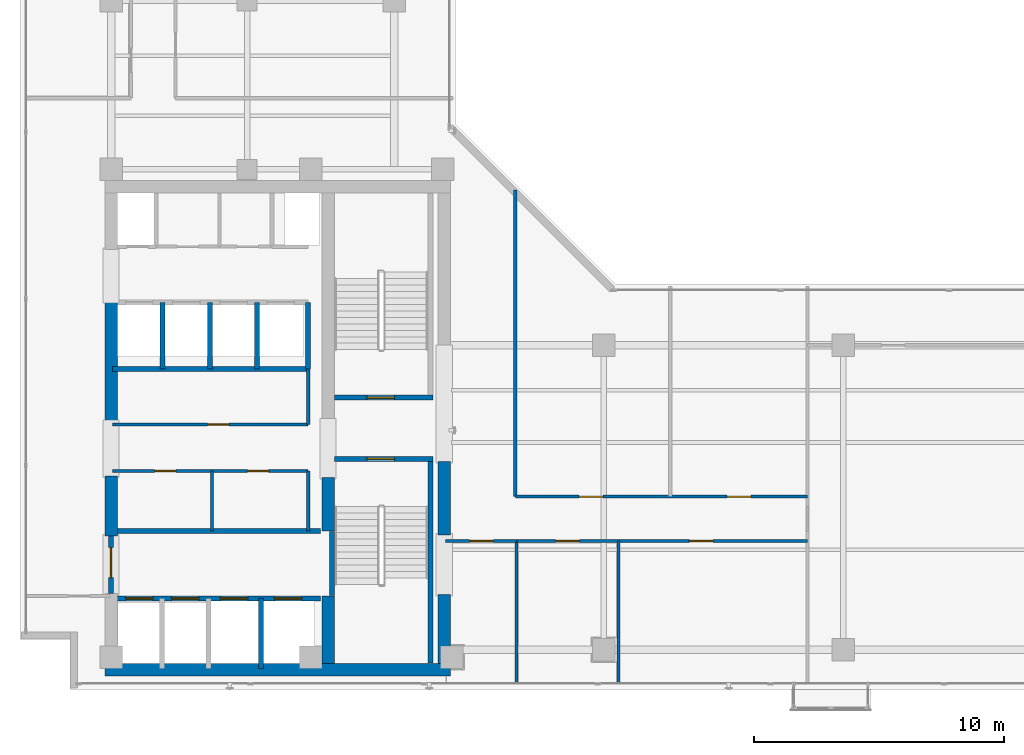
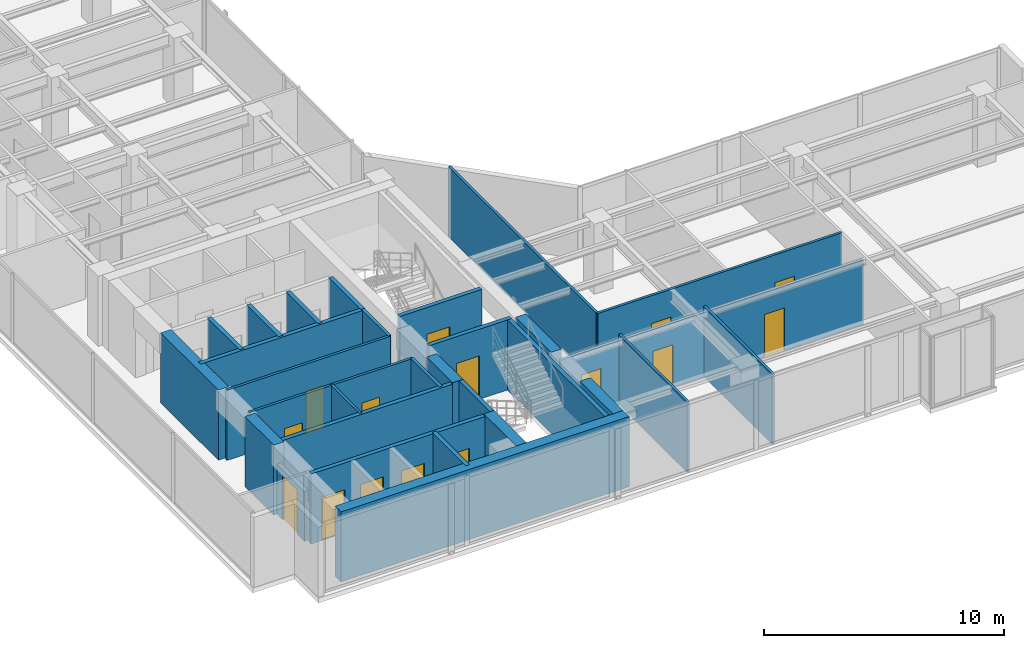
# One storey, part 17 of 24: 31 walls, 15 doors, 15 openings.
"""IFC4 building model written with IfcOpenShell, lengths in metres."""

from ifc_helpers import new_model, si_unit, direction, frame, frame_2d, origin, place, context, subcontext, project, spatial, rectangle, extrude, material, layer, layer_set, type_object, element, fill, save


model = new_model("IFC4")

# Units and contexts
model_context = context("Model", 3, precision=1e-05, world=origin(), true_north=direction((0.0, 1.0)))
body_context = subcontext(model_context, "Body", "Model", "MODEL_VIEW")
ifc_project = project(units=[si_unit("LENGTHUNIT", "METRE"), si_unit("AREAUNIT", "SQUARE_METRE"), si_unit("VOLUMEUNIT", "CUBIC_METRE"), si_unit("PLANEANGLEUNIT", "RADIAN"), si_unit("MASSUNIT", "GRAM", prefix="KILO")], contexts=[model_context])

# Site, building, storey
site_placement = place(None, origin())
site = spatial("IfcSite", under=ifc_project, at=site_placement, CompositionType="ELEMENT")
building_placement = place(site_placement, origin())
building = spatial("IfcBuilding", under=site, at=building_placement, Name="Kolvaren Waterfront Exchange", CompositionType="ELEMENT")
storey_placement = place(building_placement, frame((0.0, 0.0, 316.0)))
storey = spatial("IfcBuildingStorey", under=building, at=storey_placement, Name="L81", CompositionType="ELEMENT", Elevation=316.0)

# Wall, opening, door
ifc_material_1 = material(Name="Precast concrete C40/50", Category="concrete")
ifc_layer_1 = layer(ifc_material_1, 0.199951171875, Name="Precast concrete C40/50")
ifc_layer_set_1 = layer_set([ifc_layer_1], Name="Precast concrete C40/50")
wall_type_1 = type_object("IfcWallType", Name="ARC-FIRE-200", PredefinedType="PARTITIONING", material=ifc_layer_set_1)
wall_1_placement = place(storey_placement, frame((16.39990234375, 12.85009765625, 0.0), z_axis=(0.0, 0.0, 1.0), x_axis=(1.0, 0.0, 0.0)))
wall_1 = element("IfcWall", 1, at=wall_1_placement, inside=storey, type_object=wall_type_1, Name="L81 interior wall PW-L81-ST1-THROAT-S", PredefinedType="PARTITIONING", context=body_context, shape_type="SweptSolid", body=[
    extrude(rectangle(XDim=3.960205078125, YDim=0.199951171875, at=frame_2d((1.97998046875, 0.0))), origin(), (0.0, 0.0, 1.0), 3.56005859375),
])
opening_1_placement = place(wall_1_placement, frame((1.3037109375, 0.0, 0.0)))
opening_1 = element("IfcOpeningElement", 2, at=opening_1_placement, cuts=wall_1, Name="Opening FD2", PredefinedType="OPENING", context=body_context, shape_type="SweptSolid", body=[
    extrude(rectangle(XDim=1.10009765625, YDim=2.199951171875, at=frame_2d((0.550048828125, 1.10009765625))), frame((0.0, 0.10986328125, 0.0), z_axis=(0.0, -1.0, 0.0), x_axis=(1.0, 0.0, 0.0)), (0.0, 0.0, 1.0), 0.219970703125),
])
ifc_material_2 = material(Name="Pressed steel smoke-seal fire door", Category="steel")
door_type_1 = type_object("IfcDoorType", Name="ARC-FD-1100", OperationType="NOTDEFINED", PredefinedType="DOOR", material=ifc_material_2)
door_1_placement = place(opening_1_placement, frame((1.10009765625, 0.0, 0.0), z_axis=(0.0, 0.0, 1.0), x_axis=(-1.0, 0.0, 0.0)))
door_1 = element("IfcDoor", 3, at=door_1_placement, inside=storey, type_object=door_type_1, Name="L81 door DR-L81-ST1-IN (FD2)", OperationType="SINGLE_SWING_RIGHT", OverallHeight=2.199951171875, OverallWidth=1.10009765625, PredefinedType="DOOR", context=body_context, shape_type="SweptSolid", body=[
    extrude(rectangle(XDim=1.10009765625, YDim=2.199951171875, at=frame_2d((0.550048828125, 1.10009765625))), frame((0.0, 0.02490234375, 0.0), z_axis=(0.0, -1.0, 0.0), x_axis=(1.0, 0.0, 0.0)), (0.0, 0.0, 1.0), 0.050048828125),
])
fill(opening_1, door_1)

wall_2_placement = place(storey_placement, frame((16.409912109375, 15.300048828125, 0.0), z_axis=(0.0, 0.0, 1.0), x_axis=(1.0, 0.0, 0.0)))
wall_2 = element("IfcWall", 4, at=wall_2_placement, inside=storey, type_object=wall_type_1, Name="L81 interior wall PW-L81-ST2-THROAT-N", PredefinedType="PARTITIONING", context=body_context, shape_type="SweptSolid", body=[
    extrude(rectangle(XDim=3.9501953125, YDim=0.199951171875, at=frame_2d((1.97509765625, 0.0))), origin(), (0.0, 0.0, 1.0), 3.56005859375),
])
opening_2_placement = place(wall_2_placement, frame((1.293701171875, 0.0, 0.0)))
opening_2 = element("IfcOpeningElement", 5, at=opening_2_placement, cuts=wall_2, Name="Opening FD2", PredefinedType="OPENING", context=body_context, shape_type="SweptSolid", body=[
    extrude(rectangle(XDim=1.10009765625, YDim=2.199951171875, at=frame_2d((0.550048828125, 1.10009765625))), frame((0.0, 0.10986328125, 0.0), z_axis=(0.0, -1.0, 0.0), x_axis=(1.0, 0.0, 0.0)), (0.0, 0.0, 1.0), 0.219970703125),
])
door_2_placement = place(opening_2_placement, origin())
door_2 = element("IfcDoor", 6, at=door_2_placement, inside=storey, type_object=door_type_1, Name="L81 door DR-L81-ST2-IN (FD2)", OperationType="SINGLE_SWING_LEFT", OverallHeight=2.199951171875, OverallWidth=1.10009765625, PredefinedType="DOOR", context=body_context, shape_type="SweptSolid", body=[
    extrude(rectangle(XDim=1.10009765625, YDim=2.199951171875, at=frame_2d((0.550048828125, 1.10009765625))), frame((0.0, 0.02490234375, 0.0), z_axis=(0.0, -1.0, 0.0), x_axis=(1.0, 0.0, 0.0)), (0.0, 0.0, 1.0), 0.050048828125),
])
fill(opening_2, door_2)

# Wall
wall_3_placement = place(storey_placement, frame((7.5, 9.949951171875, 0.0), z_axis=(0.0, 0.0, 1.0), x_axis=(1.0, 0.0, 0.0)))
element("IfcWall", 7, at=wall_3_placement, inside=storey, type_object=wall_type_1, Name="L81 interior wall PW-L81-FF-N", PredefinedType="PARTITIONING", context=body_context, shape_type="SweptSolid", body=[
    extrude(rectangle(XDim=8.35009765625, YDim=0.199951171875, at=frame_2d((4.175048828125, 0.0))), origin(), (0.0, 0.0, 1.0), 3.56005859375),
])

# Wall, opening, door
wall_4_placement = place(storey_placement, frame((7.449951171875, 7.449951171875, 0.0), z_axis=(0.0, 0.0, 1.0), x_axis=(0.0, 1.0, 0.0)))
wall_4 = element("IfcWall", 8, at=wall_4_placement, inside=storey, type_object=wall_type_1, Name="L81 interior wall PW-L81-FF-W-DOOR", PredefinedType="PARTITIONING", context=body_context, shape_type="SweptSolid", body=[
    extrude(rectangle(XDim=2.300048828125, YDim=0.199951171875, at=frame_2d((1.14990234375, 0.0))), origin(), (0.0, 0.0, 1.0), 2.5400390625),
])
opening_3_placement = place(wall_4_placement, frame((0.63330078125, 0.0, 0.0)))
opening_3 = element("IfcOpeningElement", 9, at=opening_3_placement, cuts=wall_4, Name="Opening FD3", PredefinedType="OPENING", context=body_context, shape_type="SweptSolid", body=[
    extrude(rectangle(XDim=1.199951171875, YDim=2.25, at=frame_2d((0.60009765625, 1.125))), frame((0.0, 0.10986328125, 0.0), z_axis=(0.0, -1.0, 0.0), x_axis=(1.0, 0.0, 0.0)), (0.0, 0.0, 1.0), 0.219970703125),
])
ifc_material_3 = material(Name="Pressed steel fire door", Category="steel")
door_type_2 = type_object("IfcDoorType", Name="ARC-FD-1200", OperationType="NOTDEFINED", PredefinedType="DOOR", material=ifc_material_3)
door_3_placement = place(opening_3_placement, frame((1.199951171875, 0.0, 0.0), z_axis=(0.0, 0.0, 1.0), x_axis=(-1.0, 0.0, 0.0)))
door_3 = element("IfcDoor", 10, at=door_3_placement, inside=storey, type_object=door_type_2, Name="L81 door DR-L81-FF-OUT (FD3)", OperationType="SINGLE_SWING_RIGHT", OverallHeight=2.25, OverallWidth=1.199951171875, PredefinedType="DOOR", context=body_context, shape_type="SweptSolid", body=[
    extrude(rectangle(XDim=1.199951171875, YDim=2.25, at=frame_2d((0.60009765625, 1.125))), frame((0.0, 0.02490234375, 0.0), z_axis=(0.0, -1.0, 0.0), x_axis=(1.0, 0.0, 0.0)), (0.0, 0.0, 1.0), 0.050048828125),
])
fill(opening_3, door_3)

# Wall, openings, doors
ifc_material_4 = material(Name="Acoustic gypsum steel stud", Category="steel")
ifc_layer_2 = layer(ifc_material_4, 0.125, Name="Acoustic gypsum steel stud")
ifc_layer_set_2 = layer_set([ifc_layer_2], Name="Acoustic gypsum steel stud")
wall_type_2 = type_object("IfcWallType", Name="ARC-PART-125", PredefinedType="PARTITIONING", material=ifc_layer_set_2)
wall_5_placement = place(storey_placement, frame((7.5, 12.360107421875, 0.0), z_axis=(0.0, 0.0, 1.0), x_axis=(1.0, 0.0, 0.0)))
wall_5 = element("IfcWall", 11, at=wall_5_placement, inside=storey, type_object=wall_type_2, Name="L81 interior wall PW-L81-REC-HI-S", PredefinedType="PARTITIONING", context=body_context, shape_type="SweptSolid", body=[
    extrude(rectangle(XDim=7.85009765625, YDim=0.125, at=frame_2d((3.925048828125, 0.0))), origin(), (0.0, 0.0, 1.0), 3.56005859375),
])
opening_4_placement = place(wall_5_placement, frame((1.699951171875, 0.0, 0.0)))
opening_4 = element("IfcOpeningElement", 12, at=opening_4_placement, cuts=wall_5, Name="Opening D01", PredefinedType="OPENING", context=body_context, shape_type="SweptSolid", body=[
    extrude(rectangle(XDim=0.85009765625, YDim=2.14990234375, at=frame_2d((0.425048828125, 1.074951171875))), frame((0.0, 0.072509765625, 0.0), z_axis=(0.0, -1.0, 0.0), x_axis=(1.0, 0.0, 0.0)), (0.0, 0.0, 1.0), 0.14501953125),
])
opening_5_placement = place(wall_5_placement, frame((5.41259765625, 0.0, 0.0)))
opening_5 = element("IfcOpeningElement", 13, at=opening_5_placement, cuts=wall_5, Name="Opening D01", PredefinedType="OPENING", context=body_context, shape_type="SweptSolid", body=[
    extrude(rectangle(XDim=0.85009765625, YDim=2.14990234375, at=frame_2d((0.425048828125, 1.074951171875))), frame((0.0, 0.072509765625, 0.0), z_axis=(0.0, -1.0, 0.0), x_axis=(1.0, 0.0, 0.0)), (0.0, 0.0, 1.0), 0.14501953125),
])
ifc_material_5 = material(Name="Oak veneer timber leaf", Category="wood")
door_type_3 = type_object("IfcDoorType", Name="ARC-DR-900", OperationType="NOTDEFINED", PredefinedType="DOOR", material=ifc_material_5)
door_4_placement = place(opening_4_placement, origin())
door_4 = element("IfcDoor", 14, at=door_4_placement, inside=storey, type_object=door_type_3, Name="L81 door DR-L81-REC-HI-D1 (D01)", OperationType="SINGLE_SWING_LEFT", OverallHeight=2.14990234375, OverallWidth=0.85009765625, PredefinedType="DOOR", context=body_context, shape_type="SweptSolid", body=[
    extrude(rectangle(XDim=0.85009765625, YDim=2.14990234375, at=frame_2d((0.425048828125, 1.074951171875))), frame((0.0, 0.02490234375, 0.0), z_axis=(0.0, -1.0, 0.0), x_axis=(1.0, 0.0, 0.0)), (0.0, 0.0, 1.0), 0.050048828125),
])
fill(opening_4, door_4)
door_5_placement = place(opening_5_placement, origin())
door_5 = element("IfcDoor", 15, at=door_5_placement, inside=storey, type_object=door_type_3, Name="L81 door DR-L81-REC-HI-D2 (D01)", OperationType="SINGLE_SWING_RIGHT", OverallHeight=2.14990234375, OverallWidth=0.85009765625, PredefinedType="DOOR", context=body_context, shape_type="SweptSolid", body=[
    extrude(rectangle(XDim=0.85009765625, YDim=2.14990234375, at=frame_2d((0.425048828125, 1.074951171875))), frame((0.0, 0.02490234375, 0.0), z_axis=(0.0, -1.0, 0.0), x_axis=(1.0, 0.0, 0.0)), (0.0, 0.0, 1.0), 0.050048828125),
])
fill(opening_5, door_5)

# Wall, opening, door
wall_6_placement = place(storey_placement, frame((7.5, 14.219970703125, 0.0), z_axis=(0.0, 0.0, 1.0), x_axis=(1.0, 0.0, 0.0)))
wall_6 = element("IfcWall", 16, at=wall_6_placement, inside=storey, type_object=wall_type_2, Name="L81 interior wall PW-L81-REC-HI-N", PredefinedType="PARTITIONING", context=body_context, shape_type="SweptSolid", body=[
    extrude(rectangle(XDim=7.85009765625, YDim=0.125, at=frame_2d((3.925048828125, 0.0))), origin(), (0.0, 0.0, 1.0), 3.56005859375),
])
opening_6_placement = place(wall_6_placement, frame((3.824951171875, 0.0, 0.0)))
opening_6 = element("IfcOpeningElement", 17, at=opening_6_placement, cuts=wall_6, Name="Opening D01", PredefinedType="OPENING", context=body_context, shape_type="SweptSolid", body=[
    extrude(rectangle(XDim=0.85009765625, YDim=2.14990234375, at=frame_2d((0.425048828125, 1.074951171875))), frame((0.0, 0.072509765625, 0.0), z_axis=(0.0, -1.0, 0.0), x_axis=(1.0, 0.0, 0.0)), (0.0, 0.0, 1.0), 0.14501953125),
])
door_6_placement = place(opening_6_placement, origin())
door_6 = element("IfcDoor", 18, at=door_6_placement, inside=storey, type_object=door_type_3, Name="L81 door DR-L81-REC-HI-D3 (D01)", OperationType="SINGLE_SWING_LEFT", OverallHeight=2.14990234375, OverallWidth=0.85009765625, PredefinedType="DOOR", context=body_context, shape_type="SweptSolid", body=[
    extrude(rectangle(XDim=0.85009765625, YDim=2.14990234375, at=frame_2d((0.425048828125, 1.074951171875))), frame((0.0, 0.02490234375, 0.0), z_axis=(0.0, -1.0, 0.0), x_axis=(1.0, 0.0, 0.0)), (0.0, 0.0, 1.0), 0.050048828125),
])
fill(opening_6, door_6)

# Wall
wall_7_placement = place(storey_placement, frame((11.5, 9.949951171875, 0.0), z_axis=(0.0, 0.0, 1.0), x_axis=(0.0, 1.0, 0.0)))
element("IfcWall", 19, at=wall_7_placement, inside=storey, type_object=wall_type_2, Name="L81 interior wall PW-L81-REC-HI-MS1", PredefinedType="PARTITIONING", context=body_context, shape_type="SweptSolid", body=[
    extrude(rectangle(XDim=2.41015625, YDim=0.125, at=frame_2d((1.205078125, 0.0))), origin(), (0.0, 0.0, 1.0), 3.56005859375),
])

# Wall, opening, door
wall_8_placement = place(storey_placement, frame((20.85009765625, 9.550048828125, 0.0), z_axis=(0.0, 0.0, 1.0), x_axis=(1.0, 0.0, 0.0)))
wall_8 = element("IfcWall", 20, at=wall_8_placement, inside=storey, type_object=wall_type_2, Name="L81 interior wall PW-L81-SWST3-N", PredefinedType="PARTITIONING", context=body_context, shape_type="SweptSolid", body=[
    extrude(rectangle(XDim=2.849853515625, YDim=0.125, at=frame_2d((1.4248046875, 0.0))), origin(), (0.0, 0.0, 1.0), 3.260009765625),
])
opening_7_placement = place(wall_8_placement, frame((0.971435546875, 0.0, 0.0)))
opening_7 = element("IfcOpeningElement", 21, at=opening_7_placement, cuts=wall_8, Name="Opening D02", PredefinedType="OPENING", context=body_context, shape_type="SweptSolid", body=[
    extrude(rectangle(XDim=0.949951171875, YDim=2.14990234375, at=frame_2d((0.47509765625, 1.074951171875))), frame((0.0, 0.072509765625, 0.0), z_axis=(0.0, -1.0, 0.0), x_axis=(1.0, 0.0, 0.0)), (0.0, 0.0, 1.0), 0.14501953125),
])
ifc_material_6 = material(Name="Oak veneer acoustic timber", Category="wood")
door_type_4 = type_object("IfcDoorType", Name="ARC-DR-950", OperationType="NOTDEFINED", PredefinedType="DOOR", material=ifc_material_6)
door_7_placement = place(opening_7_placement, origin())
door_7 = element("IfcDoor", 22, at=door_7_placement, inside=storey, type_object=door_type_4, Name="L81 door DR-L81-SWST3-D (D02)", OperationType="SINGLE_SWING_RIGHT", OverallHeight=2.14990234375, OverallWidth=0.949951171875, PredefinedType="DOOR", context=body_context, shape_type="SweptSolid", body=[
    extrude(rectangle(XDim=0.949951171875, YDim=2.14990234375, at=frame_2d((0.47509765625, 1.074951171875))), frame((0.0, 0.02490234375, 0.0), z_axis=(0.0, -1.0, 0.0), x_axis=(1.0, 0.0, 0.0)), (0.0, 0.0, 1.0), 0.050048828125),
])
fill(opening_7, door_7)

# Wall
wall_9_placement = place(storey_placement, frame((23.699951171875, 3.840087890625, 0.0), z_axis=(0.0, 0.0, 1.0), x_axis=(0.0, 1.0, 0.0)))
element("IfcWall", 23, at=wall_9_placement, inside=storey, type_object=wall_type_2, Name="L81 interior wall PW-L81-ES-W0", PredefinedType="PARTITIONING", context=body_context, shape_type="SweptSolid", body=[
    extrude(rectangle(XDim=5.7099609375, YDim=0.125, at=frame_2d((2.85498046875, 0.0))), origin(), (0.0, 0.0, 1.0), 3.56005859375),
])

# Wall, openings, doors
wall_10_placement = place(storey_placement, frame((23.699951171875, 9.550048828125, 0.0), z_axis=(0.0, 0.0, 1.0), x_axis=(1.0, 0.0, 0.0)))
wall_10 = element("IfcWall", 24, at=wall_10_placement, inside=storey, type_object=wall_type_2, Name="L81 interior wall PW-L81-ES-CORR", PredefinedType="PARTITIONING", context=body_context, shape_type="SweptSolid", body=[
    extrude(rectangle(XDim=11.670166015625, YDim=0.125, at=frame_2d((5.8349609375, 0.0))), origin(), (0.0, 0.0, 1.0), 3.260009765625),
])
opening_8_placement = place(wall_10_placement, frame((1.56494140625, 0.0, 0.0)))
opening_8 = element("IfcOpeningElement", 25, at=opening_8_placement, cuts=wall_10, Name="Opening D02", PredefinedType="OPENING", context=body_context, shape_type="SweptSolid", body=[
    extrude(rectangle(XDim=0.949951171875, YDim=2.14990234375, at=frame_2d((0.47509765625, 1.074951171875))), frame((0.0, 0.072509765625, 0.0), z_axis=(0.0, -1.0, 0.0), x_axis=(1.0, 0.0, 0.0)), (0.0, 0.0, 1.0), 0.14501953125),
])
opening_9_placement = place(wall_10_placement, frame((6.925048828125, 0.0, 0.0)))
opening_9 = element("IfcOpeningElement", 26, at=opening_9_placement, cuts=wall_10, Name="Opening D02", PredefinedType="OPENING", context=body_context, shape_type="SweptSolid", body=[
    extrude(rectangle(XDim=0.949951171875, YDim=2.14990234375, at=frame_2d((0.47509765625, 1.074951171875))), frame((0.0, 0.072509765625, 0.0), z_axis=(0.0, -1.0, 0.0), x_axis=(1.0, 0.0, 0.0)), (0.0, 0.0, 1.0), 0.14501953125),
])
door_8_placement = place(opening_8_placement, origin())
door_8 = element("IfcDoor", 27, at=door_8_placement, inside=storey, type_object=door_type_4, Name="L81 door DR-L81-ES-D-1 (D02)", OperationType="SINGLE_SWING_LEFT", OverallHeight=2.14990234375, OverallWidth=0.949951171875, PredefinedType="DOOR", context=body_context, shape_type="SweptSolid", body=[
    extrude(rectangle(XDim=0.949951171875, YDim=2.14990234375, at=frame_2d((0.47509765625, 1.074951171875))), frame((0.0, 0.02490234375, 0.0), z_axis=(0.0, -1.0, 0.0), x_axis=(1.0, 0.0, 0.0)), (0.0, 0.0, 1.0), 0.050048828125),
])
fill(opening_8, door_8)
door_9_placement = place(opening_9_placement, origin())
door_9 = element("IfcDoor", 28, at=door_9_placement, inside=storey, type_object=door_type_4, Name="L81 door DR-L81-ES-D-2 (D02)", OperationType="SINGLE_SWING_RIGHT", OverallHeight=2.14990234375, OverallWidth=0.949951171875, PredefinedType="DOOR", context=body_context, shape_type="SweptSolid", body=[
    extrude(rectangle(XDim=0.949951171875, YDim=2.14990234375, at=frame_2d((0.47509765625, 1.074951171875))), frame((0.0, 0.02490234375, 0.0), z_axis=(0.0, -1.0, 0.0), x_axis=(1.0, 0.0, 0.0)), (0.0, 0.0, 1.0), 0.050048828125),
])
fill(opening_9, door_9)

# Walls
wall_11_placement = place(storey_placement, frame((27.780029296875, 3.840087890625, 0.0), z_axis=(0.0, 0.0, 1.0), x_axis=(0.0, 1.0, 0.0)))
element("IfcWall", 29, at=wall_11_placement, inside=storey, type_object=wall_type_2, Name="L81 interior wall PW-L81-ES-DIV-1", PredefinedType="PARTITIONING", context=body_context, shape_type="SweptSolid", body=[
    extrude(rectangle(XDim=5.7099609375, YDim=0.125, at=frame_2d((2.85498046875, 0.0))), origin(), (0.0, 0.0, 1.0), 3.56005859375),
])
wall_12_placement = place(storey_placement, frame((23.64990234375, 11.330078125, 0.0), z_axis=(0.0, 0.0, 1.0), x_axis=(0.0, 1.0, 0.0)))
element("IfcWall", 30, at=wall_12_placement, inside=storey, type_object=wall_type_2, Name="L81 interior wall PW-L81-EN-W0", PredefinedType="PARTITIONING", context=body_context, shape_type="SweptSolid", body=[
    extrude(rectangle(XDim=12.28515625, YDim=0.125, at=frame_2d((6.142578125, 0.0))), origin(), (0.0, 0.0, 1.0), 3.56005859375),
])

# Wall, openings, doors
wall_13_placement = place(storey_placement, frame((23.64990234375, 11.330078125, 0.0), z_axis=(0.0, 0.0, 1.0), x_axis=(1.0, 0.0, 0.0)))
wall_13 = element("IfcWall", 31, at=wall_13_placement, inside=storey, type_object=wall_type_2, Name="L81 interior wall PW-L81-EN-CORR", PredefinedType="PARTITIONING", context=body_context, shape_type="SweptSolid", body=[
    extrude(rectangle(XDim=11.72021484375, YDim=0.125, at=frame_2d((5.860107421875, 0.0))), origin(), (0.0, 0.0, 1.0), 3.56005859375),
])
opening_10_placement = place(wall_13_placement, frame((2.55810546875, 0.0, 0.0)))
opening_10 = element("IfcOpeningElement", 32, at=opening_10_placement, cuts=wall_13, Name="Opening D02", PredefinedType="OPENING", context=body_context, shape_type="SweptSolid", body=[
    extrude(rectangle(XDim=0.949951171875, YDim=2.14990234375, at=frame_2d((0.47509765625, 1.074951171875))), frame((0.0, 0.072509765625, 0.0), z_axis=(0.0, -1.0, 0.0), x_axis=(1.0, 0.0, 0.0)), (0.0, 0.0, 1.0), 0.14501953125),
])
opening_11_placement = place(wall_13_placement, frame((8.489990234375, 0.0, 0.0)))
opening_11 = element("IfcOpeningElement", 33, at=opening_11_placement, cuts=wall_13, Name="Opening D02", PredefinedType="OPENING", context=body_context, shape_type="SweptSolid", body=[
    extrude(rectangle(XDim=0.949951171875, YDim=2.14990234375, at=frame_2d((0.47509765625, 1.074951171875))), frame((0.0, 0.072509765625, 0.0), z_axis=(0.0, -1.0, 0.0), x_axis=(1.0, 0.0, 0.0)), (0.0, 0.0, 1.0), 0.14501953125),
])
door_10_placement = place(opening_10_placement, origin())
door_10 = element("IfcDoor", 34, at=door_10_placement, inside=storey, type_object=door_type_4, Name="L81 door DR-L81-EN-D-1 (D02)", OperationType="SINGLE_SWING_LEFT", OverallHeight=2.14990234375, OverallWidth=0.949951171875, PredefinedType="DOOR", context=body_context, shape_type="SweptSolid", body=[
    extrude(rectangle(XDim=0.949951171875, YDim=2.14990234375, at=frame_2d((0.47509765625, 1.074951171875))), frame((0.0, 0.02490234375, 0.0), z_axis=(0.0, -1.0, 0.0), x_axis=(1.0, 0.0, 0.0)), (0.0, 0.0, 1.0), 0.050048828125),
])
fill(opening_10, door_10)
door_11_placement = place(opening_11_placement, origin())
door_11 = element("IfcDoor", 35, at=door_11_placement, inside=storey, type_object=door_type_4, Name="L81 door DR-L81-EN-D-2 (D02)", OperationType="SINGLE_SWING_RIGHT", OverallHeight=2.14990234375, OverallWidth=0.949951171875, PredefinedType="DOOR", context=body_context, shape_type="SweptSolid", body=[
    extrude(rectangle(XDim=0.949951171875, YDim=2.14990234375, at=frame_2d((0.47509765625, 1.074951171875))), frame((0.0, 0.02490234375, 0.0), z_axis=(0.0, -1.0, 0.0), x_axis=(1.0, 0.0, 0.0)), (0.0, 0.0, 1.0), 0.050048828125),
])
fill(opening_11, door_11)

# Walls
ifc_material_7 = material(Name="Gypsum fireboard steel stud", Category="steel")
ifc_layer_3 = layer(ifc_material_7, 0.14990234375, Name="Gypsum fireboard steel stud")
ifc_layer_set_3 = layer_set([ifc_layer_3], Name="Gypsum fireboard steel stud")
wall_type_3 = type_object("IfcWallType", Name="ARC-PART-150", PredefinedType="PARTITIONING", material=ifc_layer_set_3)
wall_14_placement = place(storey_placement, frame((15.35009765625, 9.949951171875, 0.0), z_axis=(0.0, 0.0, 1.0), x_axis=(0.0, 1.0, 0.0)))
element("IfcWall", 36, at=wall_14_placement, inside=storey, type_object=wall_type_3, Name="L81 interior wall PW-L81-REC-HI-E1", PredefinedType="PARTITIONING", context=body_context, shape_type="SweptSolid", body=[
    extrude(rectangle(XDim=2.41015625, YDim=0.14990234375, at=frame_2d((1.205078125, 0.0))), origin(), (0.0, 0.0, 1.0), 3.56005859375),
])
wall_15_placement = place(storey_placement, frame((15.35009765625, 14.219970703125, 0.0), z_axis=(0.0, 0.0, 1.0), x_axis=(0.0, 1.0, 0.0)))
element("IfcWall", 37, at=wall_15_placement, inside=storey, type_object=wall_type_3, Name="L81 interior wall PW-L81-REC-HI-E2", PredefinedType="PARTITIONING", context=body_context, shape_type="SweptSolid", body=[
    extrude(rectangle(XDim=2.22998046875, YDim=0.14990234375, at=frame_2d((1.114990234375, 0.0))), origin(), (0.0, 0.0, 1.0), 3.56005859375),
])
ifc_material_8 = material(Name="Concrete C40/50", Category="concrete")
ifc_layer_4 = layer(ifc_material_8, 0.199951171875, Name="Concrete C40/50")
ifc_layer_set_4 = layer_set([ifc_layer_4], Name="Concrete C40/50")
wall_type_4 = type_object("IfcWallType", Name="ARC-SHAFT-200", PredefinedType="PARTITIONING", material=ifc_layer_set_4)
wall_16_placement = place(storey_placement, frame((16.300048828125, 7.360107421875, 0.0), z_axis=(0.0, 0.0, 1.0), x_axis=(0.0, 1.0, 0.0)))
element("IfcWall", 38, at=wall_16_placement, inside=storey, type_object=wall_type_4, Name="L81 structural stairwell wall PW-L81-ST1-W", PredefinedType="SHEAR", context=body_context, shape_type="SweptSolid", body=[
    extrude(rectangle(XDim=2.579833984375, YDim=0.199951171875, at=frame_2d((1.2900390625, 0.0))), origin(), (0.0, 0.0, 1.0), 3.56005859375),
])
wall_17_placement = place(storey_placement, frame((20.260009765625, 4.659912109375, 0.0), z_axis=(0.0, 0.0, 1.0), x_axis=(0.0, 1.0, 0.0)))
element("IfcWall", 39, at=wall_17_placement, inside=storey, type_object=wall_type_4, Name="L81 structural stairwell wall PW-L81-ST1-E", PredefinedType="SHEAR", context=body_context, shape_type="SweptSolid", body=[
    extrude(rectangle(XDim=8.090087890625, YDim=0.199951171875, at=frame_2d((4.044921875, 0.0))), origin(), (0.0, 0.0, 1.0), 3.56005859375),
])

# Wall, openings, doors
wall_18_placement = place(storey_placement, frame((7.5, 7.25, 0.0), z_axis=(0.0, 0.0, 1.0), x_axis=(1.0, 0.0, 0.0)))
wall_18 = element("IfcWall", 40, at=wall_18_placement, inside=storey, type_object=wall_type_4, Name="L81 interior wall PW-L81-FF-S", PredefinedType="PARTITIONING", context=body_context, shape_type="SweptSolid", body=[
    extrude(rectangle(XDim=8.35009765625, YDim=0.199951171875, at=frame_2d((4.175048828125, 0.0))), origin(), (0.0, 0.0, 1.0), 3.56005859375),
])
opening_12_placement = place(wall_18_placement, frame((0.530029296875, 0.0, 0.0)))
opening_12 = element("IfcOpeningElement", 41, at=opening_12_placement, cuts=wall_18, Name="Opening LD1", PredefinedType="OPENING", context=body_context, shape_type="SweptSolid", body=[
    extrude(rectangle(XDim=1.10009765625, YDim=2.199951171875, at=frame_2d((0.550048828125, 1.10009765625))), frame((0.0, 0.10986328125, 0.0), z_axis=(0.0, -1.0, 0.0), x_axis=(1.0, 0.0, 0.0)), (0.0, 0.0, 1.0), 0.219970703125),
])
opening_13_placement = place(wall_18_placement, frame((2.3701171875, 0.0, 0.0)))
opening_13 = element("IfcOpeningElement", 42, at=opening_13_placement, cuts=wall_18, Name="Opening LD1", PredefinedType="OPENING", context=body_context, shape_type="SweptSolid", body=[
    extrude(rectangle(XDim=1.10009765625, YDim=2.199951171875, at=frame_2d((0.550048828125, 1.10009765625))), frame((0.0, 0.10986328125, 0.0), z_axis=(0.0, -1.0, 0.0), x_axis=(1.0, 0.0, 0.0)), (0.0, 0.0, 1.0), 0.219970703125),
])
opening_14_placement = place(wall_18_placement, frame((4.330078125, 0.0, 0.0)))
opening_14 = element("IfcOpeningElement", 43, at=opening_14_placement, cuts=wall_18, Name="Opening LD1", PredefinedType="OPENING", context=body_context, shape_type="SweptSolid", body=[
    extrude(rectangle(XDim=1.10009765625, YDim=2.199951171875, at=frame_2d((0.550048828125, 1.10009765625))), frame((0.0, 0.10986328125, 0.0), z_axis=(0.0, -1.0, 0.0), x_axis=(1.0, 0.0, 0.0)), (0.0, 0.0, 1.0), 0.219970703125),
])
opening_15_placement = place(wall_18_placement, frame((6.5, 0.0, 0.0)))
opening_15 = element("IfcOpeningElement", 44, at=opening_15_placement, cuts=wall_18, Name="Opening LD1", PredefinedType="OPENING", context=body_context, shape_type="SweptSolid", body=[
    extrude(rectangle(XDim=1.10009765625, YDim=2.199951171875, at=frame_2d((0.550048828125, 1.10009765625))), frame((0.0, 0.10986328125, 0.0), z_axis=(0.0, -1.0, 0.0), x_axis=(1.0, 0.0, 0.0)), (0.0, 0.0, 1.0), 0.219970703125),
])
ifc_material_9 = material(Name="Stainless steel sliding landing door", Category="steel")
door_type_5 = type_object("IfcDoorType", Name="ARC-LD-FF", OperationType="SLIDING_TO_LEFT", PredefinedType="DOOR", material=ifc_material_9)
door_12_placement = place(opening_12_placement, origin())
door_12 = element("IfcDoor", 45, at=door_12_placement, inside=storey, type_object=door_type_5, Name="L81 door LD-L81-FFL1 (LD1)", OperationType="SLIDING_TO_LEFT", OverallHeight=2.199951171875, OverallWidth=1.10009765625, PredefinedType="DOOR", context=body_context, shape_type="SweptSolid", body=[
    extrude(rectangle(XDim=1.10009765625, YDim=2.199951171875, at=frame_2d((0.550048828125, 1.10009765625))), frame((0.0, 0.02490234375, 0.0), z_axis=(0.0, -1.0, 0.0), x_axis=(1.0, 0.0, 0.0)), (0.0, 0.0, 1.0), 0.050048828125),
])
fill(opening_12, door_12)
door_13_placement = place(opening_13_placement, origin())
door_13 = element("IfcDoor", 46, at=door_13_placement, inside=storey, type_object=door_type_5, Name="L81 door LD-L81-FFL2 (LD1)", OperationType="SLIDING_TO_LEFT", OverallHeight=2.199951171875, OverallWidth=1.10009765625, PredefinedType="DOOR", context=body_context, shape_type="SweptSolid", body=[
    extrude(rectangle(XDim=1.10009765625, YDim=2.199951171875, at=frame_2d((0.550048828125, 1.10009765625))), frame((0.0, 0.02490234375, 0.0), z_axis=(0.0, -1.0, 0.0), x_axis=(1.0, 0.0, 0.0)), (0.0, 0.0, 1.0), 0.050048828125),
])
fill(opening_13, door_13)
door_14_placement = place(opening_14_placement, origin())
door_14 = element("IfcDoor", 47, at=door_14_placement, inside=storey, type_object=door_type_5, Name="L81 door LD-L81-GL1 (LD1)", OperationType="SLIDING_TO_LEFT", OverallHeight=2.199951171875, OverallWidth=1.10009765625, PredefinedType="DOOR", context=body_context, shape_type="SweptSolid", body=[
    extrude(rectangle(XDim=1.10009765625, YDim=2.199951171875, at=frame_2d((0.550048828125, 1.10009765625))), frame((0.0, 0.02490234375, 0.0), z_axis=(0.0, -1.0, 0.0), x_axis=(1.0, 0.0, 0.0)), (0.0, 0.0, 1.0), 0.050048828125),
])
fill(opening_14, door_14)
door_15_placement = place(opening_15_placement, origin())
door_15 = element("IfcDoor", 48, at=door_15_placement, inside=storey, type_object=door_type_5, Name="L81 door LD-L81-GL2 (LD1)", OperationType="SLIDING_TO_LEFT", OverallHeight=2.199951171875, OverallWidth=1.10009765625, PredefinedType="DOOR", context=body_context, shape_type="SweptSolid", body=[
    extrude(rectangle(XDim=1.10009765625, YDim=2.199951171875, at=frame_2d((0.550048828125, 1.10009765625))), frame((0.0, 0.02490234375, 0.0), z_axis=(0.0, -1.0, 0.0), x_axis=(1.0, 0.0, 0.0)), (0.0, 0.0, 1.0), 0.050048828125),
])
fill(opening_15, door_15)

# Walls
wall_19_placement = place(storey_placement, frame((13.4599609375, 4.449951171875, 0.0), z_axis=(0.0, 0.0, 1.0), x_axis=(0.0, 1.0, 0.0)))
element("IfcWall", 49, at=wall_19_placement, inside=storey, type_object=wall_type_4, Name="L81 interior wall PW-L81-SH1-DIV-134", PredefinedType="PARTITIONING", context=body_context, shape_type="SweptSolid", body=[
    extrude(rectangle(XDim=2.800048828125, YDim=0.199951171875, at=frame_2d((1.39990234375, 0.0))), origin(), (0.0, 0.0, 1.0), 3.56005859375),
])
wall_20_placement = place(storey_placement, frame((7.5, 16.449951171875, 0.0), z_axis=(0.0, 0.0, 1.0), x_axis=(1.0, 0.0, 0.0)))
element("IfcWall", 50, at=wall_20_placement, inside=storey, type_object=wall_type_4, Name="L81 interior wall PW-L81-REC-PM-N", PredefinedType="PARTITIONING", context=body_context, shape_type="SweptSolid", body=[
    extrude(rectangle(XDim=7.85009765625, YDim=0.199951171875, at=frame_2d((3.925048828125, 0.0))), origin(), (0.0, 0.0, 1.0), 3.56005859375),
])
for number, where, z_axis, x_axis, name in (
    (51, (15.35009765625, 16.449951171875, 0.0), (0.0, 0.0, 1.0), (0.0, 1.0, 0.0), "L81 interior wall PW-L81-PH-E"),
    (52, (9.52001953125, 16.449951171875, 0.0), (0.0, 0.0, 1.0), (0.0, 1.0, 0.0), "L81 interior wall PW-L81-SH4-DIV-95"),
    (53, (11.409912109375, 16.449951171875, 0.0), (0.0, 0.0, 1.0), (0.0, 1.0, 0.0), "L81 interior wall PW-L81-SH4-DIV-114"),
    (54, (13.300048828125, 16.449951171875, 0.0), (0.0, 0.0, 1.0), (0.0, 1.0, 0.0), "L81 interior wall PW-L81-SH4-DIV-133"),
):
    element("IfcWall", number, at=place(storey_placement, frame(where, z_axis=z_axis, x_axis=x_axis)), inside=storey, type_object=wall_type_4, Name=name, PredefinedType="PARTITIONING", context=body_context, shape_type="SweptSolid", body=[
        extrude(rectangle(XDim=2.670166015625, YDim=0.199951171875, at=frame_2d((1.3349609375, 0.0))), origin(), (0.0, 0.0, 1.0), 3.56005859375),
    ])
ifc_material_10 = material(Name="Concrete C50/60", Category="concrete")
ifc_layer_5 = layer(ifc_material_10, 0.5, Name="Concrete C50/60")
ifc_layer_set_5 = layer_set([ifc_layer_5], Name="Concrete C50/60")
wall_type_5 = type_object("IfcWallType", Name="STR-CWALL-500", PredefinedType="SHEAR", material=ifc_layer_set_5)
wall_21_placement = place(storey_placement, frame((7.199951171875, 4.39990234375, 0.0), z_axis=(0.0, 0.0, 1.0), x_axis=(1.0, 0.0, 0.0)))
element("IfcWall", 55, at=wall_21_placement, inside=storey, type_object=wall_type_5, Name="L81 rear-core shear wall S", PredefinedType="SHEAR", context=body_context, shape_type="SweptSolid", body=[
    extrude(rectangle(XDim=13.85009765625, YDim=0.5, at=frame_2d((6.925048828125, 0.0))), origin(), (0.0, 0.0, 1.0), 3.56005859375),
])
wall_22_placement = place(storey_placement, frame((7.449951171875, 9.75, 0.0), z_axis=(0.0, 0.0, 1.0), x_axis=(0.0, 1.0, 0.0)))
element("IfcWall", 56, at=wall_22_placement, inside=storey, type_object=wall_type_5, Name="L81 rear-core shear wall W2A", PredefinedType="SHEAR", context=body_context, shape_type="SweptSolid", body=[
    extrude(rectangle(XDim=2.39990234375, YDim=0.5, at=frame_2d((1.199951171875, 0.0))), origin(), (0.0, 0.0, 1.0), 3.56005859375),
])
wall_23_placement = place(storey_placement, frame((7.449951171875, 14.35009765625, 0.0), z_axis=(0.0, 0.0, 1.0), x_axis=(0.0, 1.0, 0.0)))
element("IfcWall", 57, at=wall_23_placement, inside=storey, type_object=wall_type_5, Name="L81 rear-core shear wall W2B", PredefinedType="SHEAR", context=body_context, shape_type="SweptSolid", body=[
    extrude(rectangle(XDim=4.809814453125, YDim=0.5, at=frame_2d((2.40478515625, 0.0))), origin(), (0.0, 0.0, 1.0), 3.56005859375),
])
wall_24_placement = place(storey_placement, frame((20.800048828125, 4.64990234375, 0.0), z_axis=(0.0, 0.0, 1.0), x_axis=(0.0, 1.0, 0.0)))
element("IfcWall", 58, at=wall_24_placement, inside=storey, type_object=wall_type_5, Name="L81 rear-core shear wall E1", PredefinedType="SHEAR", context=body_context, shape_type="SweptSolid", body=[
    extrude(rectangle(XDim=2.75, YDim=0.5, at=frame_2d((1.375, 0.0))), origin(), (0.0, 0.0, 1.0), 3.56005859375),
])
wall_25_placement = place(storey_placement, frame((20.800048828125, 9.800048828125, 0.0), z_axis=(0.0, 0.0, 1.0), x_axis=(0.0, 1.0, 0.0)))
element("IfcWall", 59, at=wall_25_placement, inside=storey, type_object=wall_type_5, Name="L81 rear-core shear wall E2", PredefinedType="SHEAR", context=body_context, shape_type="SweptSolid", body=[
    extrude(rectangle(XDim=2.949951171875, YDim=0.5, at=frame_2d((1.47509765625, 0.0))), origin(), (0.0, 0.0, 1.0), 3.56005859375),
])
wall_26_placement = place(storey_placement, frame((16.14990234375, 4.64990234375, 0.0), z_axis=(0.0, 0.0, 1.0), x_axis=(0.0, 1.0, 0.0)))
element("IfcWall", 60, at=wall_26_placement, inside=storey, type_object=wall_type_5, Name="L81 rear-core shear wall M1", PredefinedType="SHEAR", context=body_context, shape_type="SweptSolid", body=[
    extrude(rectangle(XDim=2.7001953125, YDim=0.5, at=frame_2d((1.35009765625, 0.0))), origin(), (0.0, 0.0, 1.0), 3.56005859375),
])
wall_27_placement = place(storey_placement, frame((16.14990234375, 9.949951171875, 0.0), z_axis=(0.0, 0.0, 1.0), x_axis=(0.0, 1.0, 0.0)))
element("IfcWall", 61, at=wall_27_placement, inside=storey, type_object=wall_type_5, Name="L81 rear-core shear wall M2", PredefinedType="SHEAR", context=body_context, shape_type="SweptSolid", body=[
    extrude(rectangle(XDim=2.150146484375, YDim=0.5, at=frame_2d((1.0751953125, 0.0))), origin(), (0.0, 0.0, 1.0), 3.56005859375),
])

save(model, "model.ifc")
